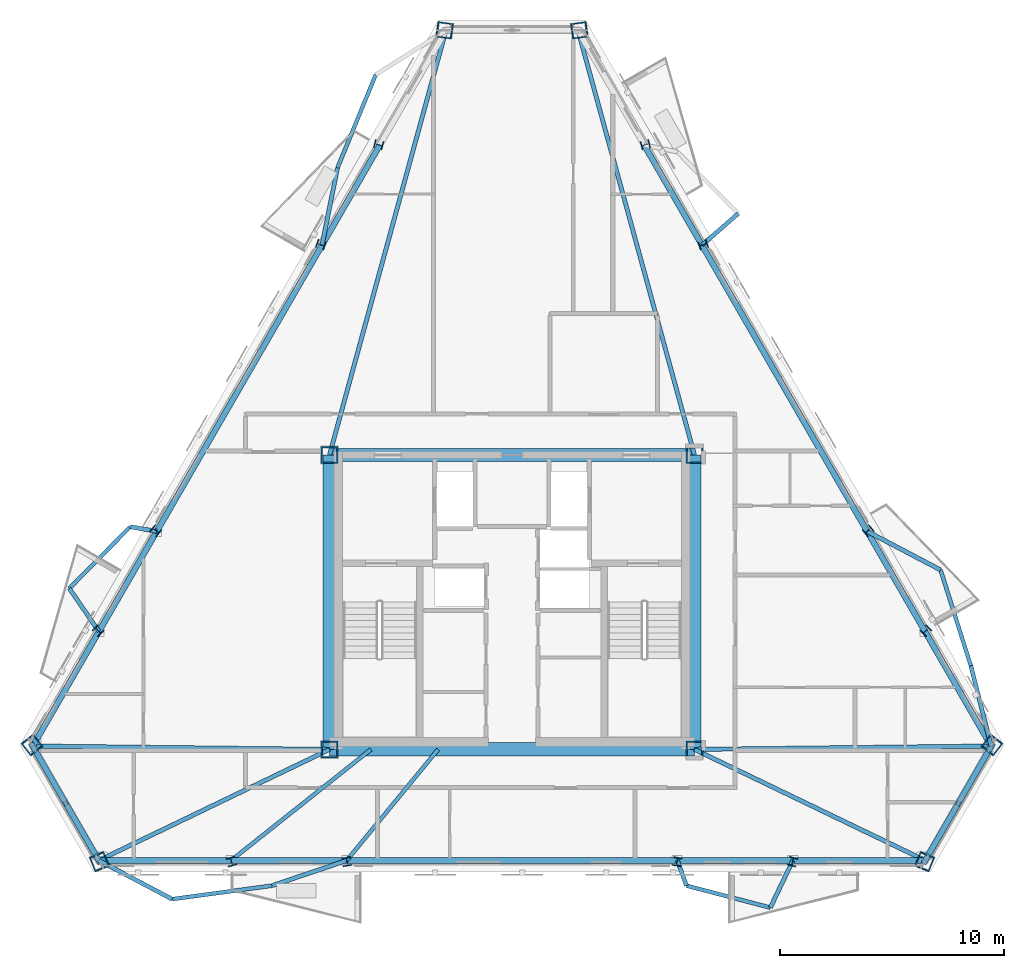
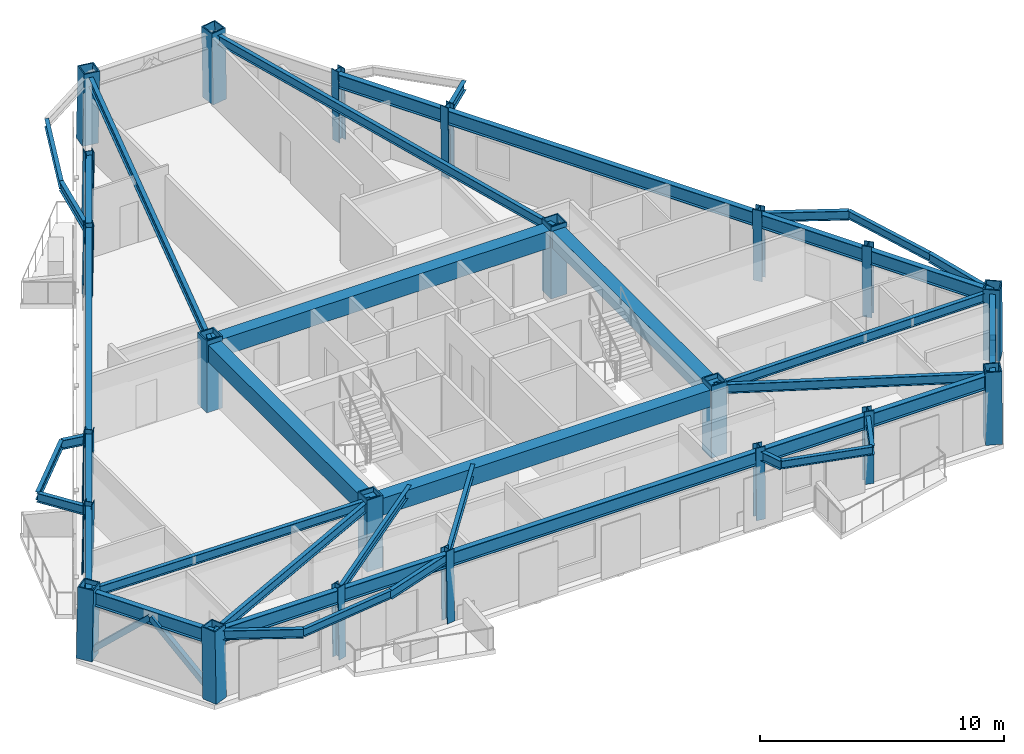
# One storey, part 1 of 9: 42 beams, 22 columns, 4 members.
"""IFC4 building model written with IfcOpenShell, lengths in metres."""

from ifc_helpers import new_model, si_unit, direction, frame, origin, origin_2d, place, context, subcontext, project, spatial, rectangle, hollow_rectangle, i_section, extrude, material, material_profile, profile_set, type_object, element, save


model = new_model("IFC4")

# Units and contexts
model_context = context("Model", 3, precision=1e-05, world=origin(), true_north=direction((0.0, 1.0)))
body_context = subcontext(model_context, "Body", "Model", "MODEL_VIEW")
ifc_project = project(units=[si_unit("LENGTHUNIT", "METRE"), si_unit("AREAUNIT", "SQUARE_METRE"), si_unit("VOLUMEUNIT", "CUBIC_METRE"), si_unit("PLANEANGLEUNIT", "RADIAN"), si_unit("MASSUNIT", "GRAM", prefix="KILO")], contexts=[model_context])

# Site, building, storey
site_placement = place(None, origin())
site = spatial("IfcSite", under=ifc_project, at=site_placement, CompositionType="ELEMENT")
building_placement = place(site_placement, origin())
building = spatial("IfcBuilding", under=site, at=building_placement, Name="Oramaril Tower", CompositionType="ELEMENT")
storey_placement = place(building_placement, frame((0.0, 0.0, 234.300048828125)))
storey = spatial("IfcBuildingStorey", under=building, at=storey_placement, Name="L62", CompositionType="ELEMENT", Elevation=234.300048828125)

# Columns
ifc_material_1 = material(Name="Steel ASTM A572 Gr 50", Category="steel")
ifc_material_profile_1 = material_profile(ifc_material_1, hollow_rectangle(XDim=0.75, YDim=0.75, WallThickness=0.06005859375, at=origin_2d()), Name="BOX750X750X60")
ifc_profile_set_1 = profile_set([ifc_material_profile_1], Name="Steel ASTM A572 Gr 50")
column_type_1 = type_object("IfcColumnType", Name="CT-CC4", PredefinedType="COLUMN", material=ifc_profile_set_1)
for number, where, z_axis, x_axis, name in (
    (1, (29.35009765625, 11.0, 0.0), (0.0, 0.0, 1.0), (1.0, 0.0, 0.0), "L62 Core Column CC-1"),
    (2, (45.64990234375, 11.0, 0.0), (0.0, 0.0, 1.0), (1.0, 0.0, 0.0), "L62 Core Column CC-2"),
    (3, (45.64990234375, 24.14990234375, 0.0), (0.0, 0.0, 1.0), (1.0, 0.0, 0.0), "L62 Core Column CC-3"),
    (4, (29.35009765625, 24.14990234375, 0.0), (0.0, 0.0, 1.0), (1.0, 0.0, 0.0), "L62 Core Column CC-4"),
):
    element("IfcColumn", number, at=place(storey_placement, frame(where, z_axis=z_axis, x_axis=x_axis)), inside=storey, type_object=column_type_1, Name=name, PredefinedType="COLUMN", context=body_context, shape_type="SweptSolid", body=[
        extrude(hollow_rectangle(XDim=0.75, YDim=0.75, WallThickness=0.06005859375, at=origin_2d()), origin(), (0.0, 0.0, 1.0), 3.599853515625),
    ])
ifc_material_2 = material(Name="Steel ASTM A572 Gr 50", Category="steel")
ifc_material_profile_2 = material_profile(ifc_material_2, hollow_rectangle(XDim=0.699951171875, YDim=0.699951171875, WallThickness=0.054931640625, at=origin_2d()), Name="BOX700X700X55")
ifc_profile_set_2 = profile_set([ifc_material_profile_2], Name="Steel ASTM A572 Gr 50")
column_type_2 = type_object("IfcColumnType", Name="CT-TC4", PredefinedType="COLUMN", material=ifc_profile_set_2)
for number, where, z_axis, x_axis, name in (
    (5, (16.058349609375, 11.205078125, 0.00439453125), (0.011759354057, -0.015090038154, 0.999816987424), (0.788777917611, 0.614678287147, 0.0), "L62 Tube Column TC-01"),
    (6, (19.076171875, 5.978515625, 0.00439453125), (-0.007273120499, 0.017740976171, 0.999816162843), (-0.925264347827, -0.379322931868, 0.0), "L62 Tube Column TC-02"),
    (7, (55.923828125, 5.978515625, 0.00439453125), (0.007273120499, 0.017740976171, 0.999816162843), (-0.925264347827, 0.379322931868, 0.0), "L62 Tube Column TC-03"),
    (8, (58.941650390625, 11.205078125, 0.00439453125), (-0.011759354057, -0.015090038154, 0.999816987424), (0.788777917611, -0.614678287147, 0.0), "L62 Tube Column TC-04"),
    (9, (40.517578125, 43.116455078125, 0.00439453125), (-0.018964500882, -0.002650951736, 0.999816643271), (0.138438952666, -0.990370969074, 0.0), "L62 Tube Column TC-05"),
    (10, (34.482421875, 43.116455078125, 0.00439453125), (0.018964500882, -0.002650951736, 0.999816643271), (0.138438952666, 0.990370969074, 0.0), "L62 Tube Column TC-06"),
):
    element("IfcColumn", number, at=place(storey_placement, frame(where, z_axis=z_axis, x_axis=x_axis)), inside=storey, type_object=column_type_2, Name=name, PredefinedType="COLUMN", context=body_context, shape_type="SweptSolid", body=[
        extrude(hollow_rectangle(XDim=0.699951171875, YDim=0.699951171875, WallThickness=0.054931640625, at=origin_2d()), origin(), (0.0, 0.0, 1.0), 3.591796875),
    ])
ifc_material_3 = material(Name="Steel ASTM A572 Gr 50", Category="steel")
ifc_material_profile_3 = material_profile(ifc_material_3, i_section(OverallWidth=0.39892578125, OverallDepth=0.385986328125, WebThickness=0.02099609375, FlangeThickness=0.033203125, at=origin_2d()), Name="W14X176")
ifc_profile_set_3 = profile_set([ifc_material_profile_3], Name="Steel ASTM A572 Gr 50")
column_type_3 = type_object("IfcColumnType", Name="CT-TF4", PredefinedType="COLUMN", material=ifc_profile_set_3)
for number, where, z_axis, x_axis, name in (
    (11, (24.9716796875, 5.978515625, 0.00439453125), (-0.004894133226, 0.017741232946, 0.999830633714), (-0.963992618206, -0.265928998126, 0.0), "L62 Tube Column TC-07"),
    (12, (30.13037109375, 5.978515625, 0.00439453125), (-0.002854933606, 0.017741373121, 0.999838533481), (-0.987298603197, -0.158875637296, 0.0), "L62 Tube Column TC-08"),
    (13, (44.86962890625, 5.978515625, 0.00439453125), (0.002854933606, 0.017741373121, 0.999838533481), (-0.987298603197, 0.158875637296, 0.0), "L62 Tube Column TC-09"),
    (14, (50.0283203125, 5.978515625, 0.00439453125), (0.004894133226, 0.017741232946, 0.999830633714), (-0.963992618206, 0.265928998126, 0.0), "L62 Tube Column TC-10"),
    (15, (55.993896484375, 16.31103515625, 0.00439453125), (-0.012915072479, -0.013118994676, 0.999830532081), (0.712623615677, -0.701546564656, 0.0), "L62 Tube Column TC-11"),
    (16, (53.414306640625, 20.778564453125, 0.00439453125), (-0.013866832544, -0.011351769779, 0.999839411245), (0.633444321555, -0.773788273037, 0.0), "L62 Tube Column TC-12"),
    (17, (46.044921875, 33.54296875, 0.00439453125), (-0.016857685475, -0.006389606591, 0.999837482478), (0.354426896262, -0.935083726308, 0.0), "L62 Tube Column TC-13"),
):
    element("IfcColumn", number, at=place(storey_placement, frame(where, z_axis=z_axis, x_axis=x_axis)), inside=storey, type_object=column_type_3, Name=name, PredefinedType="COLUMN", context=body_context, shape_type="SweptSolid", body=[
        extrude(i_section(OverallWidth=0.39892578125, OverallDepth=0.385986328125, WebThickness=0.02099609375, FlangeThickness=0.033203125, at=origin_2d()), origin(), (0.0, 0.0, 1.0), 3.591552734375),
    ])
for number, where, z_axis, x_axis, name in (
    (18, (43.465576171875, 38.010498046875, 0.00439453125), (-0.017877160936, -0.004622231725, 0.999829506511), (0.250323331087, -0.968162295234, 0.0), "L62 Tube Column TC-14"),
    (19, (31.534423828125, 38.010498046875, 0.00439453125), (0.017877160936, -0.004622231725, 0.999829506511), (0.250323331087, 0.968162295234, 0.0), "L62 Tube Column TC-15"),
):
    element("IfcColumn", number, at=place(storey_placement, frame(where, z_axis=z_axis, x_axis=x_axis)), inside=storey, type_object=column_type_3, Name=name, PredefinedType="COLUMN", context=body_context, shape_type="SweptSolid", body=[
        extrude(i_section(OverallWidth=0.39892578125, OverallDepth=0.385986328125, WebThickness=0.02099609375, FlangeThickness=0.033203125, at=origin_2d()), origin(), (0.0, 0.0, 1.0), 3.591796875),
    ])
for number, where, z_axis, x_axis, name in (
    (20, (28.955078125, 33.54296875, 0.00439453125), (0.016857685475, -0.006389606591, 0.999837482478), (0.354426896262, 0.935083726308, 0.0), "L62 Tube Column TC-16"),
    (21, (21.585693359375, 20.778564453125, 0.00439453125), (0.013866832544, -0.011351769779, 0.999839411245), (0.633444321555, 0.773788273037, 0.0), "L62 Tube Column TC-17"),
    (22, (19.006103515625, 16.31103515625, 0.00439453125), (0.012915072479, -0.013118994676, 0.999830532081), (0.712623615677, 0.701546564656, 0.0), "L62 Tube Column TC-18"),
):
    element("IfcColumn", number, at=place(storey_placement, frame(where, z_axis=z_axis, x_axis=x_axis)), inside=storey, type_object=column_type_3, Name=name, PredefinedType="COLUMN", context=body_context, shape_type="SweptSolid", body=[
        extrude(i_section(OverallWidth=0.39892578125, OverallDepth=0.385986328125, WebThickness=0.02099609375, FlangeThickness=0.033203125, at=origin_2d()), origin(), (0.0, 0.0, 1.0), 3.591552734375),
    ])

# Beams
ifc_material_4 = material(Name="Steel ASTM A572 Gr 50", Category="steel")
ifc_material_profile_4 = material_profile(ifc_material_4, i_section(OverallWidth=0.19091796875, OverallDepth=0.45703125, WebThickness=0.009033203125, FlangeThickness=0.014404296875, at=origin_2d()), Name="W18X50")
ifc_profile_set_4 = profile_set([ifc_material_profile_4], Name="Steel ASTM A572 Gr 50")
beam_type_1 = type_object("IfcBeamType", Name="BT-BB1", PredefinedType="BEAM", material=ifc_profile_set_4)
beam_1_placement = place(storey_placement, frame((29.35009765625, 11.0, 3.1513671875), z_axis=(-0.999935168648, 0.011386768642, 0.0), x_axis=(-0.011386768642, -0.999935168648, 0.0)))
element("IfcBeam", 23, at=beam_1_placement, inside=storey, type_object=beam_type_1, Name="L62 Radial Primary Beam RB-01", PredefinedType="BEAM", context=body_context, shape_type="SweptSolid", body=[
    extrude(i_section(OverallWidth=0.19091796875, OverallDepth=0.45703125, WebThickness=0.009033203125, FlangeThickness=0.014404296875, at=origin_2d()), origin(), (0.0, 0.0, 1.0), 13.25048828125),
])
for number, where, z_axis, x_axis, name in (
    (24, (29.35009765625, 11.0, 3.1513671875), (-0.90105360638, -0.433707733882, 0.0), (0.433707733882, -0.90105360638, 0.0), "L62 Radial Primary Beam RB-02"),
    (25, (45.64990234375, 11.0, 3.1513671875), (0.90105360638, -0.433707733882, 0.0), (0.433707733882, 0.90105360638, 0.0), "L62 Radial Primary Beam RB-03"),
):
    element("IfcBeam", number, at=place(storey_placement, frame(where, z_axis=z_axis, x_axis=x_axis)), inside=storey, type_object=beam_type_1, Name=name, PredefinedType="BEAM", context=body_context, shape_type="SweptSolid", body=[
        extrude(i_section(OverallWidth=0.19091796875, OverallDepth=0.45703125, WebThickness=0.009033203125, FlangeThickness=0.014404296875, at=origin_2d()), origin(), (0.0, 0.0, 1.0), 11.43115234375),
    ])
beam_2_placement = place(storey_placement, frame((45.64990234375, 11.0, 3.1513671875), z_axis=(0.999935168648, 0.011386768642, 0.0), x_axis=(-0.011386768642, 0.999935168648, 0.0)))
element("IfcBeam", 26, at=beam_2_placement, inside=storey, type_object=beam_type_1, Name="L62 Radial Primary Beam RB-04", PredefinedType="BEAM", context=body_context, shape_type="SweptSolid", body=[
    extrude(i_section(OverallWidth=0.19091796875, OverallDepth=0.45703125, WebThickness=0.009033203125, FlangeThickness=0.014404296875, at=origin_2d()), origin(), (0.0, 0.0, 1.0), 13.25048828125),
])
for number, where, z_axis, x_axis, name in (
    (27, (45.64990234375, 24.14990234375, 3.1513671875), (-0.264553700306, 0.964370955418, 0.0), (-0.964370955418, -0.264553700306, 0.0), "L62 Radial Primary Beam RB-05"),
    (28, (29.35009765625, 24.14990234375, 3.1513671875), (0.264553700306, 0.964370955418, 0.0), (-0.964370955418, 0.264553700306, 0.0), "L62 Radial Primary Beam RB-06"),
):
    element("IfcBeam", number, at=place(storey_placement, frame(where, z_axis=z_axis, x_axis=x_axis)), inside=storey, type_object=beam_type_1, Name=name, PredefinedType="BEAM", context=body_context, shape_type="SweptSolid", body=[
        extrude(i_section(OverallWidth=0.19091796875, OverallDepth=0.45703125, WebThickness=0.009033203125, FlangeThickness=0.014404296875, at=origin_2d()), origin(), (0.0, 0.0, 1.0), 19.657470703125),
    ])
beam_3_placement = place(storey_placement, frame((19.050048828125, 6.042236328125, 3.1513671875), z_axis=(0.884062224735, -0.467369214644, 0.0), x_axis=(0.467369214644, 0.884062224735, 0.0)))
element("IfcBeam", 29, at=beam_3_placement, inside=storey, type_object=beam_type_1, Name="L62 Balcony Column-Framed Cantilever 01.1", PredefinedType="BEAM", context=body_context, shape_type="SweptSolid", body=[
    extrude(i_section(OverallWidth=0.19091796875, OverallDepth=0.45703125, WebThickness=0.009033203125, FlangeThickness=0.014404296875, at=origin_2d()), origin(), (0.0, 0.0, 1.0), 3.699951171875),
])
beam_4_placement = place(storey_placement, frame((30.1201171875, 6.042236328125, 3.1513671875), z_axis=(-0.947393839903, -0.320070167485, 0.0), x_axis=(0.320070167485, -0.947393839903, 0.0)))
element("IfcBeam", 30, at=beam_4_placement, inside=storey, type_object=beam_type_1, Name="L62 Balcony Column-Framed Cantilever 01.2", PredefinedType="BEAM", context=body_context, shape_type="SweptSolid", body=[
    extrude(i_section(OverallWidth=0.19091796875, OverallDepth=0.45703125, WebThickness=0.009033203125, FlangeThickness=0.014404296875, at=origin_2d()), origin(), (0.0, 0.0, 1.0), 3.52392578125),
])
beam_5_placement = place(storey_placement, frame((44.8798828125, 6.042236328125, 3.1513671875), z_axis=(0.344254649158, -0.938876315887, 0.0), x_axis=(0.938876315887, 0.344254649158, 0.0)))
element("IfcBeam", 31, at=beam_5_placement, inside=storey, type_object=beam_type_1, Name="L62 Balcony Column-Framed Cantilever 02.1", PredefinedType="BEAM", context=body_context, shape_type="SweptSolid", body=[
    extrude(i_section(OverallWidth=0.19091796875, OverallDepth=0.45703125, WebThickness=0.009033203125, FlangeThickness=0.014404296875, at=origin_2d()), origin(), (0.0, 0.0, 1.0), 1.201416015625),
])
beam_6_placement = place(storey_placement, frame((50.0458984375, 6.042236328125, 3.1513671875), z_axis=(-0.431473980919, -0.902125381413, 0.0), x_axis=(0.902125381413, -0.431473980919, 0.0)))
element("IfcBeam", 32, at=beam_6_placement, inside=storey, type_object=beam_type_1, Name="L62 Balcony Column-Framed Cantilever 02.2", PredefinedType="BEAM", context=body_context, shape_type="SweptSolid", body=[
    extrude(i_section(OverallWidth=0.19091796875, OverallDepth=0.45703125, WebThickness=0.009033203125, FlangeThickness=0.014404296875, at=origin_2d()), origin(), (0.0, 0.0, 1.0), 2.3369140625),
])
for number, where, z_axis, x_axis, name in (
    (33, (58.8994140625, 11.15087890625, 3.1513671875), (-0.245329243552, 0.969439818791, 0.0), (-0.969439818791, -0.245329243552, 0.0), "L62 Balcony Column-Framed Cantilever 03.1"),
    (34, (53.364501953125, 20.73779296875, 3.1513671875), (0.885135693427, -0.465333003582, 0.0), (0.465333003582, 0.885135693427, 0.0), "L62 Balcony Column-Framed Cantilever 03.2"),
):
    element("IfcBeam", number, at=place(storey_placement, frame(where, z_axis=z_axis, x_axis=x_axis)), inside=storey, type_object=beam_type_1, Name=name, PredefinedType="BEAM", context=body_context, shape_type="SweptSolid", body=[
        extrude(i_section(OverallWidth=0.19091796875, OverallDepth=0.45703125, WebThickness=0.009033203125, FlangeThickness=0.014404296875, at=origin_2d()), origin(), (0.0, 0.0, 1.0), 3.699951171875),
    ])
beam_7_placement = place(storey_placement, frame((45.984375, 33.52001953125, 3.1513671875), z_axis=(0.753540310734, 0.657401703754, 0.0), x_axis=(-0.657401703754, 0.753540310734, 0.0)))
element("IfcBeam", 35, at=beam_7_placement, inside=storey, type_object=beam_type_1, Name="L62 Balcony Column-Framed Cantilever 04.1", PredefinedType="BEAM", context=body_context, shape_type="SweptSolid", body=[
    extrude(i_section(OverallWidth=0.19091796875, OverallDepth=0.45703125, WebThickness=0.009033203125, FlangeThickness=0.014404296875, at=origin_2d()), origin(), (0.0, 0.0, 1.0), 2.1484375),
])
beam_8_placement = place(storey_placement, frame((29.015625, 33.52001953125, 3.1513671875), z_axis=(0.19647584092, 0.980508665915, 0.0), x_axis=(-0.980508665915, 0.19647584092, 0.0)))
element("IfcBeam", 36, at=beam_8_placement, inside=storey, type_object=beam_type_1, Name="L62 Balcony Column-Framed Cantilever 05.2", PredefinedType="BEAM", context=body_context, shape_type="SweptSolid", body=[
    extrude(i_section(OverallWidth=0.19091796875, OverallDepth=0.45703125, WebThickness=0.009033203125, FlangeThickness=0.014404296875, at=origin_2d()), origin(), (0.0, 0.0, 1.0), 3.52392578125),
])
beam_9_placement = place(storey_placement, frame((21.635498046875, 20.73779296875, 3.1513671875), z_axis=(-0.985216229078, 0.171315445774, 0.0), x_axis=(-0.171315445774, -0.985216229078, 0.0)))
element("IfcBeam", 37, at=beam_9_placement, inside=storey, type_object=beam_type_1, Name="L62 Balcony Column-Framed Cantilever 06.1", PredefinedType="BEAM", context=body_context, shape_type="SweptSolid", body=[
    extrude(i_section(OverallWidth=0.19091796875, OverallDepth=0.45703125, WebThickness=0.009033203125, FlangeThickness=0.014404296875, at=origin_2d()), origin(), (0.0, 0.0, 1.0), 1.201416015625),
])
beam_10_placement = place(storey_placement, frame((19.052490234375, 16.263916015625, 3.1513671875), z_axis=(-0.565455256711, 0.824778972003, 0.0), x_axis=(-0.824778972003, -0.565455256711, 0.0)))
element("IfcBeam", 38, at=beam_10_placement, inside=storey, type_object=beam_type_1, Name="L62 Balcony Column-Framed Cantilever 06.2", PredefinedType="BEAM", context=body_context, shape_type="SweptSolid", body=[
    extrude(i_section(OverallWidth=0.19091796875, OverallDepth=0.45703125, WebThickness=0.009033203125, FlangeThickness=0.014404296875, at=origin_2d()), origin(), (0.0, 0.0, 1.0), 2.336669921875),
])
ifc_material_5 = material(Name="Concrete C50/60", Category="concrete")
ifc_material_profile_5 = material_profile(ifc_material_5, rectangle(XDim=0.60009765625, YDim=0.85009765625, at=origin_2d()), Name="CB600X850")
ifc_profile_set_5 = profile_set([ifc_material_profile_5], Name="Concrete C50/60")
beam_type_2 = type_object("IfcBeamType", Name="BT-CB2", PredefinedType="BEAM", material=ifc_profile_set_5)
beam_11_placement = place(storey_placement, frame((29.35009765625, 11.0, 2.954833984375), z_axis=(1.0, 0.0, 0.0), x_axis=(0.0, 1.0, 0.0)))
element("IfcBeam", 39, at=beam_11_placement, inside=storey, type_object=beam_type_2, Name="L62 Core Header Beam CB-1", PredefinedType="BEAM", context=body_context, shape_type="SweptSolid", body=[
    extrude(rectangle(XDim=0.60009765625, YDim=0.85009765625, at=origin_2d()), origin(), (0.0, 0.0, 1.0), 16.2998046875),
])
beam_12_placement = place(storey_placement, frame((45.64990234375, 11.0, 2.954833984375), z_axis=(0.0, 1.0, 0.0), x_axis=(-1.0, 0.0, 0.0)))
element("IfcBeam", 40, at=beam_12_placement, inside=storey, type_object=beam_type_2, Name="L62 Core Header Beam CB-2", PredefinedType="BEAM", context=body_context, shape_type="SweptSolid", body=[
    extrude(rectangle(XDim=0.60009765625, YDim=0.85009765625, at=origin_2d()), origin(), (0.0, 0.0, 1.0), 13.14990234375),
])
beam_13_placement = place(storey_placement, frame((45.64990234375, 24.14990234375, 2.954833984375), z_axis=(-1.0, 0.0, 0.0), x_axis=(0.0, -1.0, 0.0)))
element("IfcBeam", 41, at=beam_13_placement, inside=storey, type_object=beam_type_2, Name="L62 Core Header Beam CB-3", PredefinedType="BEAM", context=body_context, shape_type="SweptSolid", body=[
    extrude(rectangle(XDim=0.60009765625, YDim=0.85009765625, at=origin_2d()), origin(), (0.0, 0.0, 1.0), 16.2998046875),
])
beam_14_placement = place(storey_placement, frame((29.35009765625, 24.14990234375, 2.954833984375), z_axis=(0.0, -1.0, 0.0), x_axis=(1.0, 0.0, 0.0)))
element("IfcBeam", 42, at=beam_14_placement, inside=storey, type_object=beam_type_2, Name="L62 Core Header Beam CB-4", PredefinedType="BEAM", context=body_context, shape_type="SweptSolid", body=[
    extrude(rectangle(XDim=0.60009765625, YDim=0.85009765625, at=origin_2d()), origin(), (0.0, 0.0, 1.0), 13.14990234375),
])
ifc_material_6 = material(Name="Steel ASTM A572 Gr 50", Category="steel")
ifc_material_profile_6 = material_profile(ifc_material_6, i_section(OverallWidth=0.177978515625, OverallDepth=0.404052734375, WebThickness=0.007568359375, FlangeThickness=0.010986328125, at=origin_2d()), Name="W16X36")
ifc_profile_set_6 = profile_set([ifc_material_profile_6], Name="Steel ASTM A572 Gr 50")
beam_type_3 = type_object("IfcBeamType", Name="BT-SB1", PredefinedType="BEAM", material=ifc_profile_set_6)
beam_15_placement = place(storey_placement, frame((31.199951171875, 11.0, 3.177978515625), z_axis=(-0.783243703767, -0.62171480641, 0.0), x_axis=(0.62171480641, -0.783243703767, 0.0)))
element("IfcBeam", 43, at=beam_15_placement, inside=storey, type_object=beam_type_3, Name="L62 Secondary Floor Beam SB-01", PredefinedType="BEAM", context=body_context, shape_type="SweptSolid", body=[
    extrude(i_section(OverallWidth=0.177978515625, OverallDepth=0.404052734375, WebThickness=0.007568359375, FlangeThickness=0.010986328125, at=origin_2d()), origin(), (0.0, 0.0, 1.0), 7.974365234375),
])
beam_16_placement = place(storey_placement, frame((34.199951171875, 11.0, 3.177978515625), z_axis=(-0.635425986811, -0.772161780514, 0.0), x_axis=(0.772161780514, -0.635425986811, 0.0)))
element("IfcBeam", 44, at=beam_16_placement, inside=storey, type_object=beam_type_3, Name="L62 Secondary Floor Beam SB-02", PredefinedType="BEAM", context=body_context, shape_type="SweptSolid", body=[
    extrude(i_section(OverallWidth=0.177978515625, OverallDepth=0.404052734375, WebThickness=0.007568359375, FlangeThickness=0.010986328125, at=origin_2d()), origin(), (0.0, 0.0, 1.0), 6.420654296875),
])
beam_17_placement = place(storey_placement, frame((22.321044921875, 4.31298828125, 3.177978515625), z_axis=(0.991034989293, 0.1336025823, 0.0), x_axis=(-0.1336025823, 0.991034989293, 0.0)))
element("IfcBeam", 45, at=beam_17_placement, inside=storey, type_object=beam_type_3, Name="L62 Balcony Edge Tie Beam 01", PredefinedType="BEAM", context=body_context, shape_type="SweptSolid", body=[
    extrude(i_section(OverallWidth=0.177978515625, OverallDepth=0.404052734375, WebThickness=0.007568359375, FlangeThickness=0.010986328125, at=origin_2d()), origin(), (0.0, 0.0, 1.0), 4.500732421875),
])
beam_18_placement = place(storey_placement, frame((45.29345703125, 4.914306640625, 3.177978515625), z_axis=(0.967396513976, -0.253266627779, 0.0), x_axis=(0.253266627779, 0.967396513976, 0.0)))
element("IfcBeam", 46, at=beam_18_placement, inside=storey, type_object=beam_type_3, Name="L62 Balcony Edge Tie Beam 02", PredefinedType="BEAM", context=body_context, shape_type="SweptSolid", body=[
    extrude(i_section(OverallWidth=0.177978515625, OverallDepth=0.404052734375, WebThickness=0.007568359375, FlangeThickness=0.010986328125, at=origin_2d()), origin(), (0.0, 0.0, 1.0), 3.870361328125),
])
beam_19_placement = place(storey_placement, frame((57.99169921875, 14.73779296875, 3.177978515625), z_axis=(-0.301383951696, 0.953502865051, 0.0), x_axis=(-0.953502865051, -0.301383951696, 0.0)))
element("IfcBeam", 47, at=beam_19_placement, inside=storey, type_object=beam_type_3, Name="L62 Balcony Edge Tie Beam 03", PredefinedType="BEAM", context=body_context, shape_type="SweptSolid", body=[
    extrude(i_section(OverallWidth=0.177978515625, OverallDepth=0.404052734375, WebThickness=0.007568359375, FlangeThickness=0.010986328125, at=origin_2d()), origin(), (0.0, 0.0, 1.0), 4.487060546875),
])
beam_20_placement = place(storey_placement, frame((31.41748046875, 41.138916015625, 3.177978515625), z_axis=(-0.379811104954, -0.925064065108, 0.0), x_axis=(0.925064065108, -0.379811104954, 0.0)))
element("IfcBeam", 48, at=beam_20_placement, inside=storey, type_object=beam_type_3, Name="L62 Balcony Edge Tie Beam 05", PredefinedType="BEAM", context=body_context, shape_type="SweptSolid", body=[
    extrude(i_section(OverallWidth=0.177978515625, OverallDepth=0.404052734375, WebThickness=0.007568359375, FlangeThickness=0.010986328125, at=origin_2d()), origin(), (0.0, 0.0, 1.0), 4.500732421875),
])
beam_21_placement = place(storey_placement, frame((20.451904296875, 20.943603515625, 3.177978515625), z_axis=(-0.702994511648, -0.71119527318, 0.0), x_axis=(0.71119527318, -0.702994511648, 0.0)))
element("IfcBeam", 49, at=beam_21_placement, inside=storey, type_object=beam_type_3, Name="L62 Balcony Edge Tie Beam 06", PredefinedType="BEAM", context=body_context, shape_type="SweptSolid", body=[
    extrude(i_section(OverallWidth=0.177978515625, OverallDepth=0.404052734375, WebThickness=0.007568359375, FlangeThickness=0.010986328125, at=origin_2d()), origin(), (0.0, 0.0, 1.0), 3.8701171875),
])
ifc_material_7 = material(Name="Steel ASTM A572 Gr 50", Category="steel")
ifc_material_profile_7 = material_profile(ifc_material_7, i_section(OverallWidth=0.257080078125, OverallDepth=0.693115234375, WebThickness=0.014404296875, FlangeThickness=0.023681640625, at=origin_2d()), Name="W27X114")
ifc_profile_set_7 = profile_set([ifc_material_profile_7], Name="Steel ASTM A572 Gr 50")
beam_type_4 = type_object("IfcBeamType", Name="BT-SP4", PredefinedType="SPANDREL", material=ifc_profile_set_7)
beam_22_placement = place(storey_placement, frame((16.1005859375, 11.15087890625, 3.033447265625), z_axis=(0.499998311937, -0.866026378386, 0.0), x_axis=(0.866026378386, 0.499998311937, 0.0)))
element("IfcBeam", 50, at=beam_22_placement, inside=storey, type_object=beam_type_4, Name="L62 Perimeter Spandrel 01", PredefinedType="SPANDREL", context=body_context, shape_type="SweptSolid", body=[
    extrude(i_section(OverallWidth=0.257080078125, OverallDepth=0.693115234375, WebThickness=0.014404296875, FlangeThickness=0.023681640625, at=origin_2d()), origin(), (0.0, 0.0, 1.0), 5.89892578125),
])
beam_23_placement = place(storey_placement, frame((19.050048828125, 6.042236328125, 3.033447265625), z_axis=(1.0, 0.0, 0.0), x_axis=(0.0, 1.0, 0.0)))
element("IfcBeam", 51, at=beam_23_placement, inside=storey, type_object=beam_type_4, Name="L62 Perimeter Spandrel 02", PredefinedType="SPANDREL", context=body_context, shape_type="SweptSolid", body=[
    extrude(i_section(OverallWidth=0.257080078125, OverallDepth=0.693115234375, WebThickness=0.014404296875, FlangeThickness=0.023681640625, at=origin_2d()), origin(), (0.0, 0.0, 1.0), 5.904052734375),
])
beam_24_placement = place(storey_placement, frame((24.9541015625, 6.042236328125, 3.033447265625), z_axis=(1.0, 0.0, 0.0), x_axis=(0.0, 1.0, 0.0)))
element("IfcBeam", 52, at=beam_24_placement, inside=storey, type_object=beam_type_4, Name="L62 Perimeter Spandrel 03", PredefinedType="SPANDREL", context=body_context, shape_type="SweptSolid", body=[
    extrude(i_section(OverallWidth=0.257080078125, OverallDepth=0.693115234375, WebThickness=0.014404296875, FlangeThickness=0.023681640625, at=origin_2d()), origin(), (0.0, 0.0, 1.0), 5.166015625),
])
beam_25_placement = place(storey_placement, frame((30.1201171875, 6.042236328125, 3.033447265625), z_axis=(1.0, 0.0, 0.0), x_axis=(0.0, 1.0, 0.0)))
element("IfcBeam", 53, at=beam_25_placement, inside=storey, type_object=beam_type_4, Name="L62 Perimeter Spandrel 04", PredefinedType="SPANDREL", context=body_context, shape_type="SweptSolid", body=[
    extrude(i_section(OverallWidth=0.257080078125, OverallDepth=0.693115234375, WebThickness=0.014404296875, FlangeThickness=0.023681640625, at=origin_2d()), origin(), (0.0, 0.0, 1.0), 14.759765625),
])
beam_26_placement = place(storey_placement, frame((44.8798828125, 6.042236328125, 3.033447265625), z_axis=(1.0, 0.0, 0.0), x_axis=(0.0, 1.0, 0.0)))
element("IfcBeam", 54, at=beam_26_placement, inside=storey, type_object=beam_type_4, Name="L62 Perimeter Spandrel 05", PredefinedType="SPANDREL", context=body_context, shape_type="SweptSolid", body=[
    extrude(i_section(OverallWidth=0.257080078125, OverallDepth=0.693115234375, WebThickness=0.014404296875, FlangeThickness=0.023681640625, at=origin_2d()), origin(), (0.0, 0.0, 1.0), 5.166015625),
])
beam_27_placement = place(storey_placement, frame((50.0458984375, 6.042236328125, 3.033447265625), z_axis=(1.0, 0.0, 0.0), x_axis=(0.0, 1.0, 0.0)))
element("IfcBeam", 55, at=beam_27_placement, inside=storey, type_object=beam_type_4, Name="L62 Perimeter Spandrel 06", PredefinedType="SPANDREL", context=body_context, shape_type="SweptSolid", body=[
    extrude(i_section(OverallWidth=0.257080078125, OverallDepth=0.693115234375, WebThickness=0.014404296875, FlangeThickness=0.023681640625, at=origin_2d()), origin(), (0.0, 0.0, 1.0), 5.904052734375),
])
beam_28_placement = place(storey_placement, frame((55.949951171875, 6.042236328125, 3.033447265625), z_axis=(0.499998311937, 0.866026378386, 0.0), x_axis=(-0.866026378386, 0.499998311937, 0.0)))
element("IfcBeam", 56, at=beam_28_placement, inside=storey, type_object=beam_type_4, Name="L62 Perimeter Spandrel 07", PredefinedType="SPANDREL", context=body_context, shape_type="SweptSolid", body=[
    extrude(i_section(OverallWidth=0.257080078125, OverallDepth=0.693115234375, WebThickness=0.014404296875, FlangeThickness=0.023681640625, at=origin_2d()), origin(), (0.0, 0.0, 1.0), 5.89892578125),
])
beam_29_placement = place(storey_placement, frame((58.8994140625, 11.15087890625, 3.033447265625), z_axis=(-0.49998614639, 0.866033402022, 0.0), x_axis=(-0.866033402022, -0.49998614639, 0.0)))
element("IfcBeam", 57, at=beam_29_placement, inside=storey, type_object=beam_type_4, Name="L62 Perimeter Spandrel 08", PredefinedType="SPANDREL", context=body_context, shape_type="SweptSolid", body=[
    extrude(i_section(OverallWidth=0.257080078125, OverallDepth=0.693115234375, WebThickness=0.014404296875, FlangeThickness=0.023681640625, at=origin_2d()), origin(), (0.0, 0.0, 1.0), 5.904052734375),
])
beam_30_placement = place(storey_placement, frame((55.947509765625, 16.263916015625, 3.033447265625), z_axis=(-0.500001996123, 0.866024251319, 0.0), x_axis=(-0.866024251319, -0.500001996123, 0.0)))
element("IfcBeam", 58, at=beam_30_placement, inside=storey, type_object=beam_type_4, Name="L62 Perimeter Spandrel 09", PredefinedType="SPANDREL", context=body_context, shape_type="SweptSolid", body=[
    extrude(i_section(OverallWidth=0.257080078125, OverallDepth=0.693115234375, WebThickness=0.014404296875, FlangeThickness=0.023681640625, at=origin_2d()), origin(), (0.0, 0.0, 1.0), 5.166015625),
])
beam_31_placement = place(storey_placement, frame((53.364501953125, 20.73779296875, 3.033447265625), z_axis=(-0.500015498428, 0.866016455578, 0.0), x_axis=(-0.866016455578, -0.500015498428, 0.0)))
element("IfcBeam", 59, at=beam_31_placement, inside=storey, type_object=beam_type_4, Name="L62 Perimeter Spandrel 10", PredefinedType="SPANDREL", context=body_context, shape_type="SweptSolid", body=[
    extrude(i_section(OverallWidth=0.257080078125, OverallDepth=0.693115234375, WebThickness=0.014404296875, FlangeThickness=0.023681640625, at=origin_2d()), origin(), (0.0, 0.0, 1.0), 14.759765625),
])
for number, where, z_axis, x_axis, name in (
    (60, (45.984375, 33.52001953125, 3.033447265625), (-0.500001996123, 0.866024251319, 0.0), (-0.866024251319, -0.500001996123, 0.0), "L62 Perimeter Spandrel 11"),
    (61, (31.5986328125, 37.993896484375, 3.033447265625), (-0.500001996123, -0.866024251319, 0.0), (0.866024251319, -0.500001996123, 0.0), "L62 Perimeter Spandrel 15"),
):
    element("IfcBeam", number, at=place(storey_placement, frame(where, z_axis=z_axis, x_axis=x_axis)), inside=storey, type_object=beam_type_4, Name=name, PredefinedType="SPANDREL", context=body_context, shape_type="SweptSolid", body=[
        extrude(i_section(OverallWidth=0.257080078125, OverallDepth=0.693115234375, WebThickness=0.014404296875, FlangeThickness=0.023681640625, at=origin_2d()), origin(), (0.0, 0.0, 1.0), 5.166015625),
    ])
beam_32_placement = place(storey_placement, frame((29.015625, 33.52001953125, 3.033447265625), z_axis=(-0.500015498428, -0.866016455578, 0.0), x_axis=(0.866016455578, -0.500015498428, 0.0)))
element("IfcBeam", 62, at=beam_32_placement, inside=storey, type_object=beam_type_4, Name="L62 Perimeter Spandrel 16", PredefinedType="SPANDREL", context=body_context, shape_type="SweptSolid", body=[
    extrude(i_section(OverallWidth=0.257080078125, OverallDepth=0.693115234375, WebThickness=0.014404296875, FlangeThickness=0.023681640625, at=origin_2d()), origin(), (0.0, 0.0, 1.0), 14.759765625),
])
beam_33_placement = place(storey_placement, frame((21.635498046875, 20.73779296875, 3.033447265625), z_axis=(-0.500001996123, -0.866024251319, 0.0), x_axis=(0.866024251319, -0.500001996123, 0.0)))
element("IfcBeam", 63, at=beam_33_placement, inside=storey, type_object=beam_type_4, Name="L62 Perimeter Spandrel 17", PredefinedType="SPANDREL", context=body_context, shape_type="SweptSolid", body=[
    extrude(i_section(OverallWidth=0.257080078125, OverallDepth=0.693115234375, WebThickness=0.014404296875, FlangeThickness=0.023681640625, at=origin_2d()), origin(), (0.0, 0.0, 1.0), 5.166015625),
])
beam_34_placement = place(storey_placement, frame((19.052490234375, 16.263916015625, 3.033447265625), z_axis=(-0.49998614639, -0.866033402022, 0.0), x_axis=(0.866033402022, -0.49998614639, 0.0)))
element("IfcBeam", 64, at=beam_34_placement, inside=storey, type_object=beam_type_4, Name="L62 Perimeter Spandrel 18", PredefinedType="SPANDREL", context=body_context, shape_type="SweptSolid", body=[
    extrude(i_section(OverallWidth=0.257080078125, OverallDepth=0.693115234375, WebThickness=0.014404296875, FlangeThickness=0.023681640625, at=origin_2d()), origin(), (0.0, 0.0, 1.0), 5.904052734375),
])

# Members
ifc_material_8 = material(Name="Steel ASTM A572 Gr 50", Category="steel")
ifc_material_profile_8 = material_profile(ifc_material_8, hollow_rectangle(XDim=0.25, YDim=0.25, WallThickness=0.011962890625, at=origin_2d()), Name="HSS250X250X12")
ifc_profile_set_8 = profile_set([ifc_material_profile_8], Name="Steel ASTM A572 Gr 50")
member_type = type_object("IfcMemberType", Name="MT-KB3", PredefinedType="BRACE", material=ifc_profile_set_8)
for number, where, z_axis, x_axis, name in (
    (65, (16.058349609375, 11.205078125, 0.179931640625), (0.363343330761, -0.629222943289, 0.68706630803), (0.865988872794, 0.500063268193, 0.0), "L62 Perimeter Chevron Brace KB-1A"),
    (66, (19.076171875, 5.978515625, 0.179931640625), (-0.363292305775, 0.629236382042, 0.687080982185), (-0.866023907196, -0.500002592159, 0.0), "L62 Perimeter Chevron Brace KB-1B"),
    (67, (55.923828125, 5.978515625, 0.179931640625), (0.363292305775, 0.629236382042, 0.687080982185), (-0.866023907196, 0.500002592159, 0.0), "L62 Perimeter Chevron Brace KB-2A"),
    (68, (58.941650390625, 11.205078125, 0.179931640625), (-0.363343330761, -0.629222943289, 0.68706630803), (0.865988872794, -0.500063268193, 0.0), "L62 Perimeter Chevron Brace KB-2B"),
):
    element("IfcMember", number, at=place(storey_placement, frame(where, z_axis=z_axis, x_axis=x_axis)), inside=storey, type_object=member_type, Name=name, PredefinedType="BRACE", context=body_context, shape_type="SweptSolid", body=[
        extrude(hollow_rectangle(XDim=0.25, YDim=0.25, WallThickness=0.011962890625, at=origin_2d()), origin(), (0.0, 0.0, 1.0), 4.153076171875),
    ])

save(model, "model.ifc")
